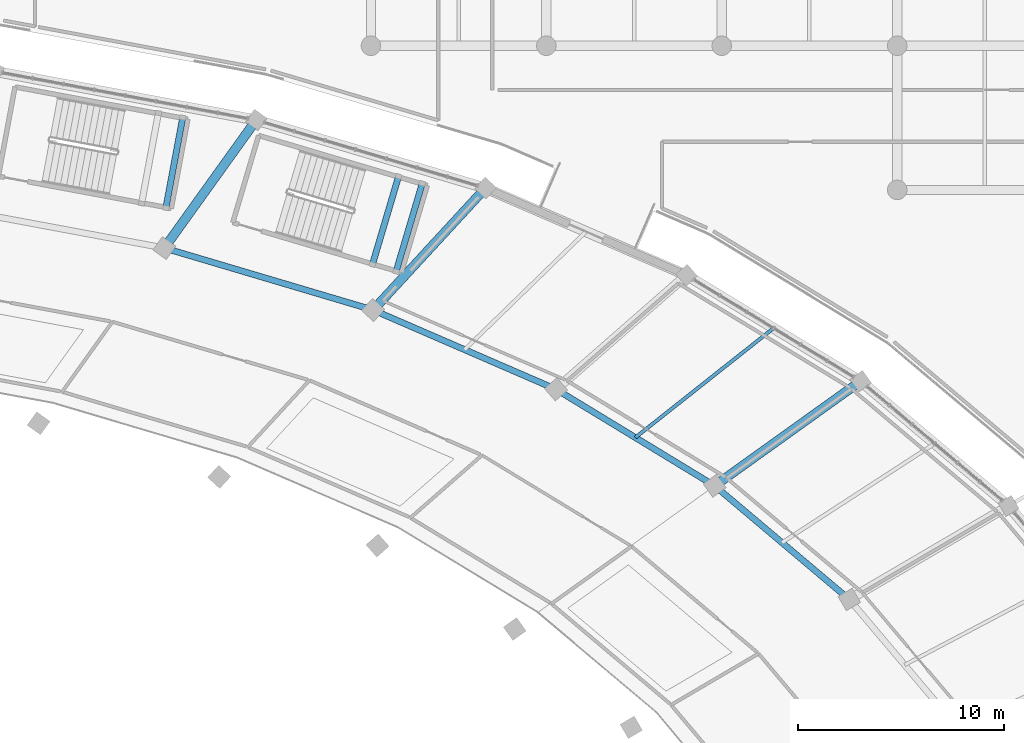
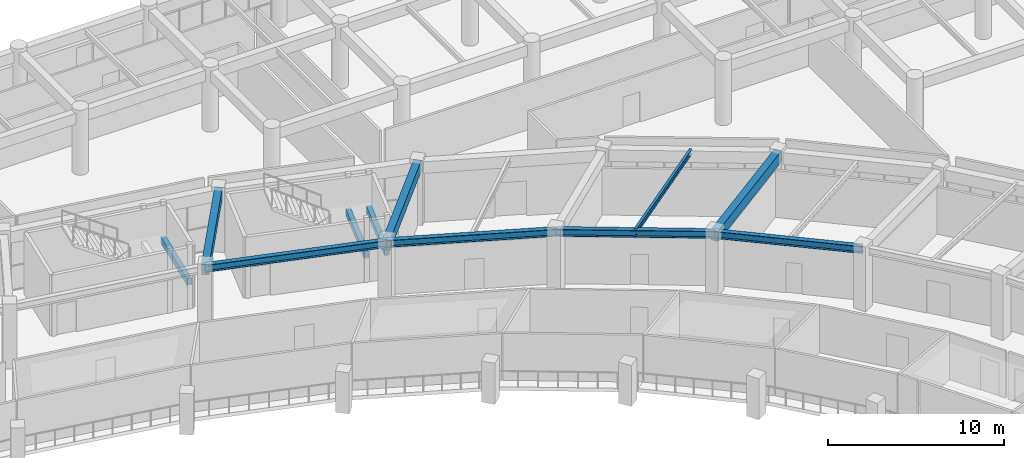
# One storey, part 63 of 141: 11 beams.
"""IFC4 building model written with IfcOpenShell, lengths in metres."""

from ifc_helpers import new_model, si_unit, direction, frame, origin, origin_2d, place, context, subcontext, project, spatial, rectangle, i_section, extrude, material, material_profile, profile_set, type_object, element, save


model = new_model("IFC4")

# Units and contexts
model_context = context("Model", 3, precision=1e-05, world=origin(), true_north=direction((0.0, 1.0)))
body_context = subcontext(model_context, "Body", "Model", "MODEL_VIEW")
ifc_project = project(units=[si_unit("LENGTHUNIT", "METRE"), si_unit("AREAUNIT", "SQUARE_METRE"), si_unit("VOLUMEUNIT", "CUBIC_METRE"), si_unit("PLANEANGLEUNIT", "RADIAN"), si_unit("MASSUNIT", "GRAM", prefix="KILO")], contexts=[model_context])

# Site, building, storey
site_placement = place(None, origin())
site = spatial("IfcSite", under=ifc_project, at=site_placement, CompositionType="ELEMENT")
building_placement = place(site_placement, origin())
building = spatial("IfcBuilding", under=site, at=building_placement, Name="Mphavela Belvedere Stadium", CompositionType="ELEMENT")
storey_placement = place(building_placement, frame((0.0, 0.0, 14.699951171875)))
storey = spatial("IfcBuildingStorey", under=building, at=storey_placement, Name="L03", CompositionType="ELEMENT", Elevation=14.699951171875)

# Beams
ifc_material_1 = material(Name="Steel S355", Category="steel")
ifc_material_profile_1 = material_profile(ifc_material_1, i_section(OverallWidth=0.169921875, OverallDepth=0.360107421875, WebThickness=0.008056640625, FlangeThickness=0.0126953125, at=origin_2d()), Name="IPE 360")
ifc_profile_set_1 = profile_set([ifc_material_profile_1], Name="Steel S355")
beam_type_1 = type_object("IfcBeamType", Name="BM-JOIST-IPE360", PredefinedType="JOIST", material=ifc_profile_set_1)
beam_1_placement = place(storey_placement, frame((183.210693359375, 140.97412109375, 4.070068359375), z_axis=(0.784195537739, 0.620513785979, 0.0), x_axis=(-0.620513785979, 0.784195537739, 0.0)))
element("IfcBeam", 1, at=beam_1_placement, inside=storey, type_object=beam_type_1, Name="Concourse floor joist L03-07", PredefinedType="JOIST", context=body_context, shape_type="SweptSolid", body=[
    extrude(i_section(OverallWidth=0.169921875, OverallDepth=0.360107421875, WebThickness=0.008056640625, FlangeThickness=0.0126953125, at=origin_2d()), origin(), (0.0, 0.0, 1.0), 8.56298828125),
])
ifc_material_2 = material(Name="Concrete C40/50", Category="concrete")
ifc_material_profile_2 = material_profile(ifc_material_2, rectangle(XDim=0.300048828125, YDim=0.449951171875, at=origin_2d()), Name="RC 300x450")
ifc_profile_set_2 = profile_set([ifc_material_profile_2], Name="Concrete C40/50")
beam_type_2 = type_object("IfcBeamType", Name="BM-RC300x450", PredefinedType="BEAM", material=ifc_profile_set_2)
beam_2_placement = place(storey_placement, frame((170.44189453125, 149.372802734375, 1.824951171875), z_axis=(0.28454574359, 0.95866246396, 0.0), x_axis=(-0.95866246396, 0.28454574359, 0.0)))
element("IfcBeam", 2, at=beam_2_placement, inside=storey, type_object=beam_type_2, Name="Core P01 landing trimmer beam L03-1", PredefinedType="BEAM", context=body_context, shape_type="SweptSolid", body=[
    extrude(rectangle(XDim=0.300048828125, YDim=0.449951171875, at=origin_2d()), origin(), (0.0, 0.0, 1.0), 4.47021484375),
])
beam_3_placement = place(storey_placement, frame((171.59228515625, 149.031494140625, 1.824951171875), z_axis=(0.28456064248, 0.958658041614, 0.0), x_axis=(-0.958658041614, 0.28456064248, 0.0)))
element("IfcBeam", 3, at=beam_3_placement, inside=storey, type_object=beam_type_2, Name="Core P01 landing trimmer beam L03-2", PredefinedType="BEAM", context=body_context, shape_type="SweptSolid", body=[
    extrude(rectangle(XDim=0.300048828125, YDim=0.449951171875, at=origin_2d()), origin(), (0.0, 0.0, 1.0), 4.469970703125),
])
beam_4_placement = place(storey_placement, frame((160.4130859375, 152.12060546875, 1.824951171875), z_axis=(0.183084705806, 0.983097141945, 0.0), x_axis=(-0.983097141945, 0.183084705806, 0.0)))
element("IfcBeam", 4, at=beam_4_placement, inside=storey, type_object=beam_type_2, Name="Core P02 landing trimmer beam L03-2", PredefinedType="BEAM", context=body_context, shape_type="SweptSolid", body=[
    extrude(rectangle(XDim=0.300048828125, YDim=0.449951171875, at=origin_2d()), origin(), (0.0, 0.0, 1.0), 4.4697265625),
])
ifc_material_3 = material(Name="Concrete C40/50", Category="concrete")
ifc_material_profile_3 = material_profile(ifc_material_3, rectangle(XDim=0.449951171875, YDim=0.75, at=origin_2d()), Name="RC 450x750")
ifc_profile_set_3 = profile_set([ifc_material_profile_3], Name="Concrete C40/50")
beam_type_3 = type_object("IfcBeamType", Name="BM-RC450x750", PredefinedType="BEAM", material=ifc_profile_set_3)
beam_5_placement = place(storey_placement, frame((187.061279296875, 138.631591796875, 3.875), z_axis=(0.812882024932, 0.582428376319, 0.0), x_axis=(-0.582428376319, 0.812882024932, 0.0)))
element("IfcBeam", 5, at=beam_5_placement, inside=storey, type_object=beam_type_3, Name="Radial concourse girder L03 R3R4-07", PredefinedType="BEAM", context=body_context, shape_type="SweptSolid", body=[
    extrude(rectangle(XDim=0.449951171875, YDim=0.75, at=origin_2d()), origin(), (0.0, 0.0, 1.0), 8.727294921875),
])
beam_6_placement = place(storey_placement, frame((170.476318359375, 147.16796875, 3.875), z_axis=(0.67784325477, 0.735206448532, 0.0), x_axis=(-0.735206448532, 0.67784325477, 0.0)))
element("IfcBeam", 6, at=beam_6_placement, inside=storey, type_object=beam_type_3, Name="Radial concourse girder L03 R3R4-09", PredefinedType="BEAM", context=body_context, shape_type="SweptSolid", body=[
    extrude(rectangle(XDim=0.449951171875, YDim=0.75, at=origin_2d()), origin(), (0.0, 0.0, 1.0), 8.056640625),
])
beam_7_placement = place(storey_placement, frame((160.337890625, 150.177490234375, 3.875), z_axis=(0.583043812448, 0.812440713385, 0.0), x_axis=(-0.812440713385, 0.583043812448, 0.0)))
element("IfcBeam", 7, at=beam_7_placement, inside=storey, type_object=beam_type_3, Name="Radial concourse girder L03 R3R4-10", PredefinedType="BEAM", context=body_context, shape_type="SweptSolid", body=[
    extrude(rectangle(XDim=0.449951171875, YDim=0.75, at=origin_2d()), origin(), (0.0, 0.0, 1.0), 7.6552734375),
])
ifc_material_4 = material(Name="Steel S355", Category="steel")
ifc_material_profile_4 = material_profile(ifc_material_4, i_section(OverallWidth=0.300048828125, OverallDepth=0.489990234375, WebThickness=0.011962890625, FlangeThickness=0.02294921875, at=origin_2d()), Name="HEA 500")
ifc_profile_set_4 = profile_set([ifc_material_profile_4], Name="Steel S355")
beam_type_4 = type_object("IfcBeamType", Name="BM-STEEL-HEA500", PredefinedType="BEAM", material=ifc_profile_set_4)
beam_8_placement = place(storey_placement, frame((193.600341796875, 133.11376953125, 4.005126953125), z_axis=(-0.764263355392, 0.644904274761, 0.0), x_axis=(-0.644904274761, -0.764263355392, 0.0)))
element("IfcBeam", 8, at=beam_8_placement, inside=storey, type_object=beam_type_4, Name="Circumferential girder L03 R3-06", PredefinedType="BEAM", context=body_context, shape_type="SweptSolid", body=[
    extrude(i_section(OverallWidth=0.300048828125, OverallDepth=0.489990234375, WebThickness=0.011962890625, FlangeThickness=0.02294921875, at=origin_2d()), origin(), (0.0, 0.0, 1.0), 8.55615234375),
])
beam_9_placement = place(storey_placement, frame((187.061279296875, 138.631591796875, 4.005126953125), z_axis=(-0.854315160357, 0.519755333579, 0.0), x_axis=(-0.519755333579, -0.854315160357, 0.0)))
element("IfcBeam", 9, at=beam_9_placement, inside=storey, type_object=beam_type_4, Name="Circumferential girder L03 R3-07", PredefinedType="BEAM", context=body_context, shape_type="SweptSolid", body=[
    extrude(i_section(OverallWidth=0.300048828125, OverallDepth=0.489990234375, WebThickness=0.011962890625, FlangeThickness=0.02294921875, at=origin_2d()), origin(), (0.0, 0.0, 1.0), 9.014404296875),
])
beam_10_placement = place(storey_placement, frame((179.360107421875, 143.31689453125, 4.005126953125), z_axis=(-0.917501650019, 0.397731972832, 0.0), x_axis=(-0.397731972832, -0.917501650019, 0.0)))
element("IfcBeam", 10, at=beam_10_placement, inside=storey, type_object=beam_type_4, Name="Circumferential girder L03 R3-08", PredefinedType="BEAM", context=body_context, shape_type="SweptSolid", body=[
    extrude(i_section(OverallWidth=0.300048828125, OverallDepth=0.489990234375, WebThickness=0.011962890625, FlangeThickness=0.02294921875, at=origin_2d()), origin(), (0.0, 0.0, 1.0), 9.6826171875),
])
beam_11_placement = place(storey_placement, frame((170.476318359375, 147.16796875, 4.005126953125), z_axis=(-0.958655230784, 0.284570111731, 0.0), x_axis=(-0.284570111731, -0.958655230784, 0.0)))
element("IfcBeam", 11, at=beam_11_placement, inside=storey, type_object=beam_type_4, Name="Circumferential girder L03 R3-09", PredefinedType="BEAM", context=body_context, shape_type="SweptSolid", body=[
    extrude(i_section(OverallWidth=0.300048828125, OverallDepth=0.489990234375, WebThickness=0.011962890625, FlangeThickness=0.02294921875, at=origin_2d()), origin(), (0.0, 0.0, 1.0), 10.57568359375),
])

save(model, "model.ifc")
